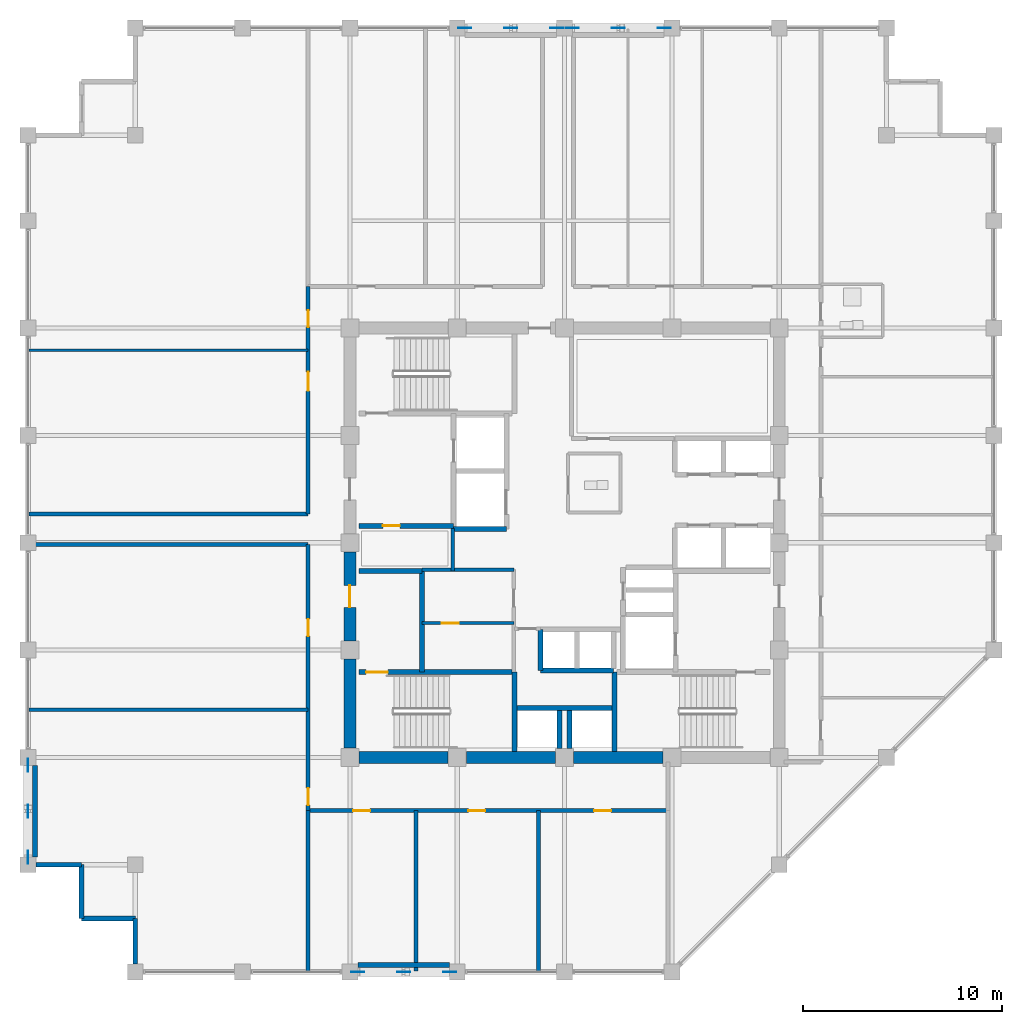
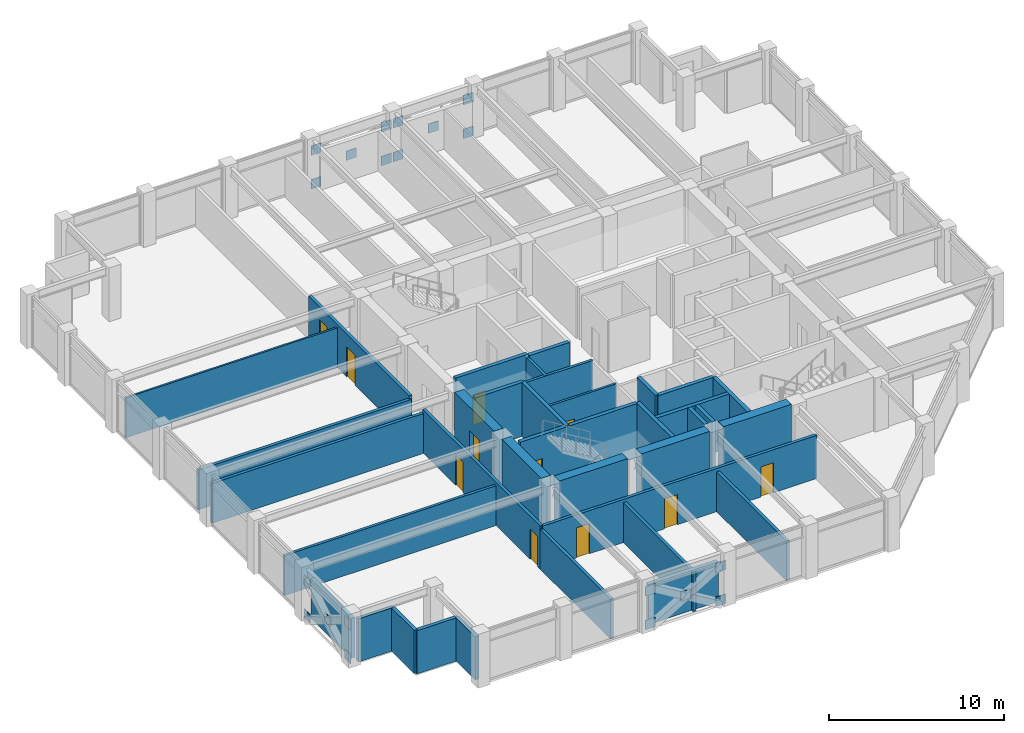
# One storey, part 27 of 32: 36 walls, 20 plates, 11 doors, 11 openings.
"""IFC4 building model written with IfcOpenShell, lengths in metres."""

from ifc_helpers import new_model, si_unit, direction, frame, frame_2d, origin, origin_2d, place, context, subcontext, project, spatial, rectangle, extrude, material, layer, layer_set, type_object, element, fill, save


model = new_model("IFC4")

# Units and contexts
model_context = context("Model", 3, precision=1e-05, world=origin(), true_north=direction((0.0, 1.0)))
body_context = subcontext(model_context, "Body", "Model", "MODEL_VIEW")
ifc_project = project(units=[si_unit("LENGTHUNIT", "METRE"), si_unit("AREAUNIT", "SQUARE_METRE"), si_unit("VOLUMEUNIT", "CUBIC_METRE"), si_unit("PLANEANGLEUNIT", "RADIAN"), si_unit("MASSUNIT", "GRAM", prefix="KILO")], contexts=[model_context])

# Site, building, storey
site_placement = place(None, origin())
site = spatial("IfcSite", under=ifc_project, at=site_placement, CompositionType="ELEMENT")
building_placement = place(site_placement, origin())
building = spatial("IfcBuilding", under=site, at=building_placement, Name="Surkhivell Harbour Commons", CompositionType="ELEMENT")
storey_placement = place(building_placement, frame((0.0, 0.0, 216.0)))
storey = spatial("IfcBuildingStorey", under=building, at=storey_placement, Name="L56", CompositionType="ELEMENT", Elevation=216.0)

# Plates
ifc_material_1 = material(Name="Steel S460", Category="steel")
ifc_layer_1 = layer(ifc_material_1, 0.044921875)
ifc_layer_set_1 = layer_set([ifc_layer_1], Name="Steel S460")
plate_type = type_object("IfcPlateType", Name="PLT-GUS-650", PredefinedType="USERDEFINED", material=ifc_layer_set_1)
for number, where, z_axis, x_axis, name in (
    (1, (-5.014892578125, 25.89990234375, -0.08935546875), (0.0, 0.0, 1.0), (1.0, 0.0, 0.0), "L56 Perimeter Mega-Brace MB- Corner Gusset N-1"),
    (2, (-0.385009765625, 25.89990234375, -0.08935546875), (0.0, 0.0, 1.0), (1.0, 0.0, 0.0), "L56 Perimeter Mega-Brace MB- Corner Gusset N-2"),
    (3, (-5.014892578125, 25.89990234375, 2.25146484375), (0.0, 0.0, 1.0), (1.0, 0.0, 0.0), "L56 Perimeter Mega-Brace MB- Corner Gusset N-3"),
    (4, (-0.385009765625, 25.89990234375, 2.25146484375), (0.0, 0.0, 1.0), (1.0, 0.0, 0.0), "L56 Perimeter Mega-Brace MB- Corner Gusset N-4"),
    (5, (-2.699951171875, 25.89990234375, 1.0810546875), (0.0, 0.0, 1.0), (1.0, 0.0, 0.0), "L56 Perimeter Mega-Brace MB- Central Crossing Gusset N"),
    (6, (0.385009765625, 25.89990234375, -0.08935546875), (0.0, 0.0, 1.0), (1.0, 0.0, 0.0), "L56 Perimeter Mega-Brace MB- Corner Gusset N2-1"),
    (7, (5.014892578125, 25.89990234375, -0.08935546875), (0.0, 0.0, 1.0), (1.0, 0.0, 0.0), "L56 Perimeter Mega-Brace MB- Corner Gusset N2-2"),
    (8, (0.385009765625, 25.89990234375, 2.25146484375), (0.0, 0.0, 1.0), (1.0, 0.0, 0.0), "L56 Perimeter Mega-Brace MB- Corner Gusset N2-3"),
    (9, (5.014892578125, 25.89990234375, 2.25146484375), (0.0, 0.0, 1.0), (1.0, 0.0, 0.0), "L56 Perimeter Mega-Brace MB- Corner Gusset N2-4"),
    (10, (2.699951171875, 25.89990234375, 1.0810546875), (0.0, 0.0, 1.0), (1.0, 0.0, 0.0), "L56 Perimeter Mega-Brace MB- Central Crossing Gusset N2"),
    (11, (-10.4150390625, -21.60009765625, -0.08935546875), (0.0, 0.0, 1.0), (1.0, 0.0, 0.0), "L56 Perimeter Mega-Brace MB- Corner Gusset S-1"),
    (12, (-5.784912109375, -21.60009765625, -0.08935546875), (0.0, 0.0, 1.0), (1.0, 0.0, 0.0), "L56 Perimeter Mega-Brace MB- Corner Gusset S-2"),
    (13, (-10.4150390625, -21.60009765625, 2.25146484375), (0.0, 0.0, 1.0), (1.0, 0.0, 0.0), "L56 Perimeter Mega-Brace MB- Corner Gusset S-3"),
    (14, (-5.784912109375, -21.60009765625, 2.25146484375), (0.0, 0.0, 1.0), (1.0, 0.0, 0.0), "L56 Perimeter Mega-Brace MB- Corner Gusset S-4"),
    (15, (-8.10009765625, -21.60009765625, 1.0810546875), (0.0, 0.0, 1.0), (1.0, 0.0, 0.0), "L56 Perimeter Mega-Brace MB- Central Crossing Gusset S"),
    (16, (-27.0, -15.81494140625, -0.08935546875), (0.0, 0.0, 1.0), (0.0, 1.0, 0.0), "L56 Perimeter Mega-Brace MB- Corner Gusset W-1"),
    (17, (-27.0, -11.18505859375, -0.08935546875), (0.0, 0.0, 1.0), (0.0, 1.0, 0.0), "L56 Perimeter Mega-Brace MB- Corner Gusset W-2"),
    (18, (-27.0, -15.81494140625, 2.25146484375), (0.0, 0.0, 1.0), (0.0, 1.0, 0.0), "L56 Perimeter Mega-Brace MB- Corner Gusset W-3"),
    (19, (-27.0, -11.18505859375, 2.25146484375), (0.0, 0.0, 1.0), (0.0, 1.0, 0.0), "L56 Perimeter Mega-Brace MB- Corner Gusset W-4"),
    (20, (-27.0, -13.5, 1.0810546875), (0.0, 0.0, 1.0), (0.0, 1.0, 0.0), "L56 Perimeter Mega-Brace MB- Central Crossing Gusset W"),
):
    element("IfcPlate", number, at=place(storey_placement, frame(where, z_axis=z_axis, x_axis=x_axis)), inside=storey, type_object=plate_type, Name=name, ObjectType="GUSSET_PLATE", PredefinedType="USERDEFINED", context=body_context, shape_type="SweptSolid", body=[
        extrude(rectangle(XDim=0.64990234375, YDim=0.044921875, at=origin_2d()), origin(), (0.0, 0.0, 1.0), 0.64990234375),
    ])

# Walls
ifc_material_2 = material(Name="Concrete C60/75", Category="concrete")
ifc_layer_2 = layer(ifc_material_2, 0.60009765625)
ifc_layer_set_2 = layer_set([ifc_layer_2], Name="Concrete C60/75")
wall_type_1 = type_object("IfcWallType", Name="WAL-CORE-600", PredefinedType="SHEAR", material=ifc_layer_set_2)
for number, where, z_axis, x_axis, name in (
    (21, (-10.340087890625, -10.800048828125, 0.0), (0.0, 0.0, 1.0), (1.0, 0.0, 0.0), "L56 Core Shear Wall South 1"),
    (22, (-10.800048828125, -10.340087890625, 0.0), (0.0, 0.0, 1.0), (0.0, 1.0, 0.0), "L56 Core Shear Wall West 1"),
    (23, (-4.93994140625, -10.800048828125, 0.0), (0.0, 0.0, 1.0), (1.0, 0.0, 0.0), "L56 Core Shear Wall South 2"),
):
    element("IfcWall", number, at=place(storey_placement, frame(where, z_axis=z_axis, x_axis=x_axis)), inside=storey, type_object=wall_type_1, Name=name, PredefinedType="SHEAR", context=body_context, shape_type="SweptSolid", body=[
        extrude(rectangle(XDim=4.47998046875, YDim=0.60009765625, at=frame_2d((2.239990234375, 0.0))), origin(), (0.0, 0.0, 1.0), 3.75),
    ])

# Wall, opening, door
wall_1_placement = place(storey_placement, frame((-10.800048828125, -4.93994140625, 0.0), z_axis=(0.0, 0.0, 1.0), x_axis=(0.0, 1.0, 0.0)))
wall_1 = element("IfcWall", 24, at=wall_1_placement, inside=storey, type_object=wall_type_1, Name="L56 Core Shear Wall West 2", PredefinedType="SHEAR", context=body_context, shape_type="SweptSolid", body=[
    extrude(rectangle(XDim=4.47998046875, YDim=0.60009765625, at=frame_2d((2.239990234375, 0.0))), origin(), (0.0, 0.0, 1.0), 3.75),
])
opening_1_placement = place(wall_1_placement, frame((1.68994140625, 0.0, 0.0)))
opening_1 = element("IfcOpeningElement", 25, at=opening_1_placement, cuts=wall_1, Name="Opening ID-2", PredefinedType="OPENING", context=body_context, shape_type="SweptSolid", body=[
    extrude(rectangle(XDim=1.10009765625, YDim=2.10009765625, at=frame_2d((0.550048828125, 1.050048828125))), frame((0.0, 0.31005859375, 0.0), z_axis=(0.0, -1.0, 0.0), x_axis=(1.0, 0.0, 0.0)), (0.0, 0.0, 1.0), 0.6201171875),
])
ifc_material_3 = material(Name="Hardwood-veneered fire-rated door leaf", Category="wood")
door_type_1 = type_object("IfcDoorType", Name="DOR-FD60-1100", OperationType="NOTDEFINED", PredefinedType="DOOR", material=ifc_material_3)
door_1_placement = place(opening_1_placement, origin())
door_1 = element("IfcDoor", 26, at=door_1_placement, inside=storey, type_object=door_type_1, Name="L56 Stair 3 Lobby Corridor Door", OperationType="SINGLE_SWING_LEFT", OverallHeight=2.10009765625, OverallWidth=1.10009765625, PredefinedType="DOOR", context=body_context, shape_type="SweptSolid", body=[
    extrude(rectangle(XDim=1.10009765625, YDim=2.10009765625, at=frame_2d((0.550048828125, 1.050048828125))), frame((0.0, 0.02490234375, 0.0), z_axis=(0.0, -1.0, 0.0), x_axis=(1.0, 0.0, 0.0)), (0.0, 0.0, 1.0), 0.050048828125),
])
fill(opening_1, door_1)

# Walls
wall_2_placement = place(storey_placement, frame((0.4599609375, -10.800048828125, 0.0), z_axis=(0.0, 0.0, 1.0), x_axis=(1.0, 0.0, 0.0)))
element("IfcWall", 27, at=wall_2_placement, inside=storey, type_object=wall_type_1, Name="L56 Core Shear Wall South 3", PredefinedType="SHEAR", context=body_context, shape_type="SweptSolid", body=[
    extrude(rectangle(XDim=4.47998046875, YDim=0.60009765625, at=frame_2d((2.239990234375, 0.0))), origin(), (0.0, 0.0, 1.0), 3.75),
])
ifc_material_4 = material(Name="Pale-metal insulated precast concrete C45/55", Category="concrete")
ifc_layer_3 = layer(ifc_material_4, 0.260009765625)
ifc_layer_set_3 = layer_set([ifc_layer_3], Name="Pale-metal insulated precast concrete C45/55")
wall_type_2 = type_object("IfcWallType", Name="WAL-EXT-MTL260", PredefinedType="STANDARD", material=ifc_layer_set_3)
for number, where, z_axis, x_axis, name in (
    (28, (-10.402099609375, -21.239990234375, 0.0), (0.0, 0.0, 1.0), (1.0, 0.0, 0.0), "L56 Braced-Bay Insulated Spandrel Backing S"),
    (29, (-26.639892578125, -11.197998046875, 0.0), (0.0, 0.0, 1.0), (0.0, -1.0, 0.0), "L56 Braced-Bay Insulated Spandrel Backing W"),
):
    element("IfcWall", number, at=place(storey_placement, frame(where, z_axis=z_axis, x_axis=x_axis)), inside=storey, type_object=wall_type_2, Name=name, PredefinedType="STANDARD", context=body_context, shape_type="SweptSolid", body=[
        extrude(rectangle(XDim=4.60400390625, YDim=0.260009765625, at=frame_2d((2.302001953125, 0.0))), origin(), (0.0, 0.0, 1.0), 2.780029296875),
    ])
ifc_material_5 = material(Name="Bronze-ochre cassette precast concrete C45/55", Category="concrete")
ifc_layer_4 = layer(ifc_material_5, 0.239990234375)
ifc_layer_set_4 = layer_set([ifc_layer_4], Name="Bronze-ochre cassette precast concrete C45/55")
wall_type_3 = type_object("IfcWallType", Name="WAL-EXT-OCH240", PredefinedType="STANDARD", material=ifc_layer_set_4)
wall_3_placement = place(storey_placement, frame((-26.60205078125, -16.199951171875, 0.0), z_axis=(0.0, 0.0, 1.0), x_axis=(1.0, 0.0, 0.0)))
element("IfcWall", 30, at=wall_3_placement, inside=storey, type_object=wall_type_3, Name="L56 Serrated Corner Facade Wall 13", PredefinedType="STANDARD", context=body_context, shape_type="SweptSolid", body=[
    extrude(rectangle(XDim=2.302001953125, YDim=0.239990234375, at=frame_2d((1.15087890625, 0.0))), origin(), (0.0, 0.0, 1.0), 3.006103515625),
])
for number, where, z_axis, x_axis, name in (
    (31, (-24.300048828125, -16.199951171875, 0.0), (0.0, 0.0, 1.0), (0.0, -1.0, 0.0), "L56 Serrated Corner Facade Wall 14"),
    (32, (-24.300048828125, -18.89990234375, 0.0), (0.0, 0.0, 1.0), (1.0, 0.0, 0.0), "L56 Serrated Corner Facade Wall 15"),
):
    element("IfcWall", number, at=place(storey_placement, frame(where, z_axis=z_axis, x_axis=x_axis)), inside=storey, type_object=wall_type_3, Name=name, PredefinedType="STANDARD", context=body_context, shape_type="SweptSolid", body=[
        extrude(rectangle(XDim=2.699951171875, YDim=0.239990234375, at=frame_2d((1.35009765625, 0.0))), origin(), (0.0, 0.0, 1.0), 3.006103515625),
    ])
wall_4_placement = place(storey_placement, frame((-21.60009765625, -18.89990234375, 0.0), z_axis=(0.0, 0.0, 1.0), x_axis=(0.0, -1.0, 0.0)))
element("IfcWall", 33, at=wall_4_placement, inside=storey, type_object=wall_type_3, Name="L56 Serrated Corner Facade Wall 16", PredefinedType="STANDARD", context=body_context, shape_type="SweptSolid", body=[
    extrude(rectangle(XDim=2.302001953125, YDim=0.239990234375, at=frame_2d((1.15087890625, 0.0))), origin(), (0.0, 0.0, 1.0), 3.006103515625),
])
ifc_material_6 = material(Name="Moisture-resistant acoustic stud partition", Category="other")
ifc_layer_5 = layer(ifc_material_6, 0.125)
ifc_layer_set_5 = layer_set([ifc_layer_5], Name="Moisture-resistant acoustic stud partition")
wall_type_4 = type_object("IfcWallType", Name="WAL-INT-125", PredefinedType="PARTITIONING", material=ifc_layer_set_5)
wall_5_placement = place(storey_placement, frame((-26.93994140625, 9.68994140625, 0.0), z_axis=(0.0, 0.0, 1.0), x_axis=(1.0, 0.0, 0.0)))
element("IfcWall", 34, at=wall_5_placement, inside=storey, type_object=wall_type_4, Name="L56 North-West Partition P1", PredefinedType="PARTITIONING", context=body_context, shape_type="SweptSolid", body=[
    extrude(rectangle(XDim=14.0400390625, YDim=0.125, at=frame_2d((7.02001953125, 0.0))), origin(), (0.0, 0.0, 1.0), 2.780029296875),
])

# Wall, opening, door
ifc_material_7 = material(Name="Twin-stud acoustic fireboard partition", Category="other")
ifc_layer_6 = layer(ifc_material_7, 0.14990234375)
ifc_layer_set_6 = layer_set([ifc_layer_6], Name="Twin-stud acoustic fireboard partition")
wall_type_5 = type_object("IfcWallType", Name="WAL-INT-150", PredefinedType="PARTITIONING", material=ifc_layer_set_6)
wall_6_placement = place(storey_placement, frame((-7.179931640625, -4.050048828125, 0.0), z_axis=(0.0, 0.0, 1.0), x_axis=(1.0, 0.0, 0.0)))
wall_6 = element("IfcWall", 35, at=wall_6_placement, inside=storey, type_object=wall_type_5, Name="L56 Core Cut A Partition", PredefinedType="PARTITIONING", context=body_context, shape_type="SweptSolid", body=[
    extrude(rectangle(XDim=4.6298828125, YDim=0.14990234375, at=frame_2d((2.31494140625, 0.0))), origin(), (0.0, 0.0, 1.0), 3.570068359375),
])
opening_2_placement = place(wall_6_placement, frame((1.0, 0.0, 0.0)))
opening_2 = element("IfcOpeningElement", 36, at=opening_2_placement, cuts=wall_6, Name="Opening ID-6", PredefinedType="OPENING", context=body_context, shape_type="SweptSolid", body=[
    extrude(rectangle(XDim=0.85009765625, YDim=2.10009765625, at=frame_2d((0.425048828125, 1.050048828125))), frame((0.0, 0.0849609375, 0.0), z_axis=(0.0, -1.0, 0.0), x_axis=(1.0, 0.0, 0.0)), (0.0, 0.0, 1.0), 0.169921875),
])
door_type_2 = type_object("IfcDoorType", Name="DOR-FD30-850", OperationType="NOTDEFINED", PredefinedType="DOOR", material=ifc_material_3)
door_2_placement = place(opening_2_placement, origin())
door_2 = element("IfcDoor", 37, at=door_2_placement, inside=storey, type_object=door_type_2, Name="L56 Linen Room Door", OperationType="SINGLE_SWING_RIGHT", OverallHeight=2.10009765625, OverallWidth=0.85009765625, PredefinedType="DOOR", context=body_context, shape_type="SweptSolid", body=[
    extrude(rectangle(XDim=0.85009765625, YDim=2.10009765625, at=frame_2d((0.425048828125, 1.050048828125))), frame((0.0, 0.02490234375, 0.0), z_axis=(0.0, -1.0, 0.0), x_axis=(1.0, 0.0, 0.0)), (0.0, 0.0, 1.0), 0.050048828125),
])
fill(opening_2, door_2)

# Walls
ifc_material_8 = material(Name="High-density acoustic blockwork fire partition", Category="masonry")
ifc_layer_7 = layer(ifc_material_8, 0.175048828125)
ifc_layer_set_7 = layer_set([ifc_layer_7], Name="High-density acoustic blockwork fire partition")
wall_type_6 = type_object("IfcWallType", Name="WAL-INT-175", PredefinedType="PARTITIONING", material=ifc_layer_set_7)
wall_7_placement = place(storey_placement, frame((-7.179931640625, -1.35009765625, 0.0), z_axis=(0.0, 0.0, 1.0), x_axis=(1.0, 0.0, 0.0)))
element("IfcWall", 38, at=wall_7_placement, inside=storey, type_object=wall_type_6, Name="L56 Core Service Bay North Wall", PredefinedType="PARTITIONING", context=body_context, shape_type="SweptSolid", body=[
    extrude(rectangle(XDim=4.6298828125, YDim=0.175048828125, at=frame_2d((2.31494140625, 0.0))), origin(), (0.0, 0.0, 1.0), 3.570068359375),
])
wall_8_placement = place(storey_placement, frame((-5.6201171875, -1.419921875, 0.0), z_axis=(0.0, 0.0, 1.0), x_axis=(0.0, 1.0, 0.0)))
element("IfcWall", 39, at=wall_8_placement, inside=storey, type_object=wall_type_6, Name="L56 West Core Bay East Wall", PredefinedType="PARTITIONING", context=body_context, shape_type="SweptSolid", body=[
    extrude(rectangle(XDim=2.139892578125, YDim=0.175048828125, at=frame_2d((1.06982421875, 0.0))), origin(), (0.0, 0.0, 1.0), 3.570068359375),
])
wall_9_placement = place(storey_placement, frame((-26.93994140625, -8.39990234375, 0.0), z_axis=(0.0, 0.0, 1.0), x_axis=(1.0, 0.0, 0.0)))
element("IfcWall", 40, at=wall_9_placement, inside=storey, type_object=wall_type_6, Name="L56 South-West Partition P1", PredefinedType="PARTITIONING", context=body_context, shape_type="SweptSolid", body=[
    extrude(rectangle(XDim=14.0400390625, YDim=0.175048828125, at=frame_2d((7.02001953125, 0.0))), origin(), (0.0, 0.0, 1.0), 2.780029296875),
])
ifc_material_9 = material(Name="Autoclaved aerated concrete blockwork and fire plaster", Category="masonry")
ifc_layer_8 = layer(ifc_material_9, 0.199951171875)
ifc_layer_set_8 = layer_set([ifc_layer_8], Name="Autoclaved aerated concrete blockwork and fire plaster")
wall_type_7 = type_object("IfcWallType", Name="WAL-INT-200", PredefinedType="PARTITIONING", material=ifc_layer_set_8)
wall_10_placement = place(storey_placement, frame((-12.89990234375, -21.5400390625, 0.0), z_axis=(0.0, 0.0, 1.0), x_axis=(0.0, 1.0, 0.0)))
element("IfcWall", 41, at=wall_10_placement, inside=storey, type_object=wall_type_7, Name="L56 South-West Corner Wall", PredefinedType="PARTITIONING", context=body_context, shape_type="SweptSolid", body=[
    extrude(rectangle(XDim=8.06005859375, YDim=0.199951171875, at=frame_2d((4.030029296875, 0.0))), origin(), (0.0, 0.0, 1.0), 2.780029296875),
])

# Wall, openings, doors
wall_11_placement = place(storey_placement, frame((-12.89990234375, -13.47998046875, 0.0), z_axis=(0.0, 0.0, 1.0), x_axis=(1.0, 0.0, 0.0)))
wall_11 = element("IfcWall", 42, at=wall_11_placement, inside=storey, type_object=wall_type_7, Name="L56 Corridor South Wall", PredefinedType="PARTITIONING", context=body_context, shape_type="SweptSolid", body=[
    extrude(rectangle(XDim=18.099853515625, YDim=0.199951171875, at=frame_2d((9.0498046875, 0.0))), origin(), (0.0, 0.0, 1.0), 3.006103515625),
])
opening_3_placement = place(wall_11_placement, frame((2.264892578125, 0.0, 0.0)))
opening_3 = element("IfcOpeningElement", 43, at=opening_3_placement, cuts=wall_11, Name="Opening ID-6", PredefinedType="OPENING", context=body_context, shape_type="SweptSolid", body=[
    extrude(rectangle(XDim=0.85009765625, YDim=2.10009765625, at=frame_2d((0.425048828125, 1.050048828125))), frame((0.0, 0.10986328125, 0.0), z_axis=(0.0, -1.0, 0.0), x_axis=(1.0, 0.0, 0.0)), (0.0, 0.0, 1.0), 0.219970703125),
])
opening_4_placement = place(wall_11_placement, frame((8.054931640625, 0.0, 0.0)))
opening_4 = element("IfcOpeningElement", 44, at=opening_4_placement, cuts=wall_11, Name="Opening ID-6", PredefinedType="OPENING", context=body_context, shape_type="SweptSolid", body=[
    extrude(rectangle(XDim=0.85009765625, YDim=2.10009765625, at=frame_2d((0.425048828125, 1.050048828125))), frame((0.0, 0.10986328125, 0.0), z_axis=(0.0, -1.0, 0.0), x_axis=(1.0, 0.0, 0.0)), (0.0, 0.0, 1.0), 0.219970703125),
])
opening_5_placement = place(wall_11_placement, frame((14.389892578125, 0.0, 0.0)))
opening_5 = element("IfcOpeningElement", 45, at=opening_5_placement, cuts=wall_11, Name="Opening ID-6", PredefinedType="OPENING", context=body_context, shape_type="SweptSolid", body=[
    extrude(rectangle(XDim=0.85009765625, YDim=2.10009765625, at=frame_2d((0.425048828125, 1.050048828125))), frame((0.0, 0.10986328125, 0.0), z_axis=(0.0, -1.0, 0.0), x_axis=(1.0, 0.0, 0.0)), (0.0, 0.0, 1.0), 0.219970703125),
])
door_3_placement = place(opening_3_placement, origin())
door_3 = element("IfcDoor", 46, at=door_3_placement, inside=storey, type_object=door_type_2, Name="L56 Resident Tutor Staff Room 1 South Door", OperationType="SINGLE_SWING_RIGHT", OverallHeight=2.10009765625, OverallWidth=0.85009765625, PredefinedType="DOOR", context=body_context, shape_type="SweptSolid", body=[
    extrude(rectangle(XDim=0.85009765625, YDim=2.10009765625, at=frame_2d((0.425048828125, 1.050048828125))), frame((0.0, 0.02490234375, 0.0), z_axis=(0.0, -1.0, 0.0), x_axis=(1.0, 0.0, 0.0)), (0.0, 0.0, 1.0), 0.050048828125),
])
fill(opening_3, door_3)
door_4_placement = place(opening_4_placement, origin())
door_4 = element("IfcDoor", 47, at=door_4_placement, inside=storey, type_object=door_type_2, Name="L56 Resident Warden Staff Office 2 South Door", OperationType="SINGLE_SWING_LEFT", OverallHeight=2.10009765625, OverallWidth=0.85009765625, PredefinedType="DOOR", context=body_context, shape_type="SweptSolid", body=[
    extrude(rectangle(XDim=0.85009765625, YDim=2.10009765625, at=frame_2d((0.425048828125, 1.050048828125))), frame((0.0, 0.02490234375, 0.0), z_axis=(0.0, -1.0, 0.0), x_axis=(1.0, 0.0, 0.0)), (0.0, 0.0, 1.0), 0.050048828125),
])
fill(opening_4, door_4)
door_5_placement = place(opening_5_placement, origin())
door_5 = element("IfcDoor", 48, at=door_5_placement, inside=storey, type_object=door_type_2, Name="L56 Campus Bursar Staff Office 3 South Door", OperationType="SINGLE_SWING_RIGHT", OverallHeight=2.10009765625, OverallWidth=0.85009765625, PredefinedType="DOOR", context=body_context, shape_type="SweptSolid", body=[
    extrude(rectangle(XDim=0.85009765625, YDim=2.10009765625, at=frame_2d((0.425048828125, 1.050048828125))), frame((0.0, 0.02490234375, 0.0), z_axis=(0.0, -1.0, 0.0), x_axis=(1.0, 0.0, 0.0)), (0.0, 0.0, 1.0), 0.050048828125),
])
fill(opening_5, door_5)

# Walls
for number, where, z_axis, x_axis, name in (
    (49, (-26.93994140625, 1.449951171875, 0.0), (0.0, 0.0, 1.0), (1.0, 0.0, 0.0), "L56 West Spur North Wall"),
    (50, (-26.93994140625, -0.10009765625, 0.0), (0.0, 0.0, 1.0), (1.0, 0.0, 0.0), "L56 West Spur South Wall"),
):
    element("IfcWall", number, at=place(storey_placement, frame(where, z_axis=z_axis, x_axis=x_axis)), inside=storey, type_object=wall_type_7, Name=name, PredefinedType="PARTITIONING", context=body_context, shape_type="SweptSolid", body=[
        extrude(rectangle(XDim=14.0400390625, YDim=0.199951171875, at=frame_2d((7.02001953125, 0.0))), origin(), (0.0, 0.0, 1.0), 2.780029296875),
    ])

# Wall, openings, doors
wall_12_placement = place(storey_placement, frame((-12.89990234375, 1.449951171875, 0.0), z_axis=(0.0, 0.0, 1.0), x_axis=(0.0, 1.0, 0.0)))
wall_12 = element("IfcWall", 51, at=wall_12_placement, inside=storey, type_object=wall_type_7, Name="L56 Corridor West-Upper Wall", PredefinedType="PARTITIONING", context=body_context, shape_type="SweptSolid", body=[
    extrude(rectangle(XDim=11.449951171875, YDim=0.199951171875, at=frame_2d((5.72509765625, 0.0))), origin(), (0.0, 0.0, 1.0), 3.006103515625),
])
opening_6_placement = place(wall_12_placement, frame((6.194091796875, 0.0, 0.0)))
opening_6 = element("IfcOpeningElement", 52, at=opening_6_placement, cuts=wall_12, Name="Opening ID-4", PredefinedType="OPENING", context=body_context, shape_type="SweptSolid", body=[
    extrude(rectangle(XDim=0.949951171875, YDim=2.10009765625, at=frame_2d((0.47509765625, 1.050048828125))), frame((0.0, 0.10986328125, 0.0), z_axis=(0.0, -1.0, 0.0), x_axis=(1.0, 0.0, 0.0)), (0.0, 0.0, 1.0), 0.219970703125),
])
opening_7_placement = place(wall_12_placement, frame((9.39501953125, 0.0, 0.0)))
opening_7 = element("IfcOpeningElement", 53, at=opening_7_placement, cuts=wall_12, Name="Opening ID-6", PredefinedType="OPENING", context=body_context, shape_type="SweptSolid", body=[
    extrude(rectangle(XDim=0.85009765625, YDim=2.10009765625, at=frame_2d((0.425048828125, 1.050048828125))), frame((0.0, 0.10986328125, 0.0), z_axis=(0.0, -1.0, 0.0), x_axis=(1.0, 0.0, 0.0)), (0.0, 0.0, 1.0), 0.219970703125),
])
door_6_placement = place(opening_7_placement, origin())
door_6 = element("IfcDoor", 54, at=door_6_placement, inside=storey, type_object=door_type_2, Name="L56 Resident Advisory Reception Desk North-West Door", OperationType="SINGLE_SWING_LEFT", OverallHeight=2.10009765625, OverallWidth=0.85009765625, PredefinedType="DOOR", context=body_context, shape_type="SweptSolid", body=[
    extrude(rectangle(XDim=0.85009765625, YDim=2.10009765625, at=frame_2d((0.425048828125, 1.050048828125))), frame((0.0, 0.02490234375, 0.0), z_axis=(0.0, -1.0, 0.0), x_axis=(1.0, 0.0, 0.0)), (0.0, 0.0, 1.0), 0.050048828125),
])
fill(opening_7, door_6)
door_type_3 = type_object("IfcDoorType", Name="DOR-FD60-950", OperationType="NOTDEFINED", PredefinedType="DOOR", material=ifc_material_3)
door_7_placement = place(opening_6_placement, origin())
door_7 = element("IfcDoor", 55, at=door_7_placement, inside=storey, type_object=door_type_3, Name="L56 Zone Concierge Reception Foyer North-West Door", OperationType="SINGLE_SWING_RIGHT", OverallHeight=2.10009765625, OverallWidth=0.949951171875, PredefinedType="DOOR", context=body_context, shape_type="SweptSolid", body=[
    extrude(rectangle(XDim=0.949951171875, YDim=2.10009765625, at=frame_2d((0.47509765625, 1.050048828125))), frame((0.0, 0.02490234375, 0.0), z_axis=(0.0, -1.0, 0.0), x_axis=(1.0, 0.0, 0.0)), (0.0, 0.0, 1.0), 0.050048828125),
])
fill(opening_6, door_7)

wall_13_placement = place(storey_placement, frame((-12.89990234375, -13.47998046875, 0.0), z_axis=(0.0, 0.0, 1.0), x_axis=(0.0, 1.0, 0.0)))
wall_13 = element("IfcWall", 56, at=wall_13_placement, inside=storey, type_object=wall_type_7, Name="L56 Corridor West-Lower Wall", PredefinedType="PARTITIONING", context=body_context, shape_type="SweptSolid", body=[
    extrude(rectangle(XDim=13.3798828125, YDim=0.199951171875, at=frame_2d((6.68994140625, 0.0))), origin(), (0.0, 0.0, 1.0), 3.006103515625),
])
opening_8_placement = place(wall_13_placement, frame((0.280029296875, 0.0, 0.0)))
opening_8 = element("IfcOpeningElement", 57, at=opening_8_placement, cuts=wall_13, Name="Opening ID-6", PredefinedType="OPENING", context=body_context, shape_type="SweptSolid", body=[
    extrude(rectangle(XDim=0.85009765625, YDim=2.10009765625, at=frame_2d((0.425048828125, 1.050048828125))), frame((0.0, 0.10986328125, 0.0), z_axis=(0.0, -1.0, 0.0), x_axis=(1.0, 0.0, 0.0)), (0.0, 0.0, 1.0), 0.219970703125),
])
opening_9_placement = place(wall_13_placement, frame((8.780029296875, 0.0, 0.0)))
opening_9 = element("IfcOpeningElement", 58, at=opening_9_placement, cuts=wall_13, Name="Opening ID-6", PredefinedType="OPENING", context=body_context, shape_type="SweptSolid", body=[
    extrude(rectangle(XDim=0.85009765625, YDim=2.10009765625, at=frame_2d((0.425048828125, 1.050048828125))), frame((0.0, 0.10986328125, 0.0), z_axis=(0.0, -1.0, 0.0), x_axis=(1.0, 0.0, 0.0)), (0.0, 0.0, 1.0), 0.219970703125),
])
door_8_placement = place(opening_8_placement, origin())
door_8 = element("IfcDoor", 59, at=door_8_placement, inside=storey, type_object=door_type_2, Name="L56 Harbour Reading Library South-West Door", OperationType="SINGLE_SWING_RIGHT", OverallHeight=2.10009765625, OverallWidth=0.85009765625, PredefinedType="DOOR", context=body_context, shape_type="SweptSolid", body=[
    extrude(rectangle(XDim=0.85009765625, YDim=2.10009765625, at=frame_2d((0.425048828125, 1.050048828125))), frame((0.0, 0.02490234375, 0.0), z_axis=(0.0, -1.0, 0.0), x_axis=(1.0, 0.0, 0.0)), (0.0, 0.0, 1.0), 0.050048828125),
])
fill(opening_8, door_8)
door_9_placement = place(opening_9_placement, origin())
door_9 = element("IfcDoor", 60, at=door_9_placement, inside=storey, type_object=door_type_2, Name="L56 Communal Dining Hall South-West Door", OperationType="SINGLE_SWING_LEFT", OverallHeight=2.10009765625, OverallWidth=0.85009765625, PredefinedType="DOOR", context=body_context, shape_type="SweptSolid", body=[
    extrude(rectangle(XDim=0.85009765625, YDim=2.10009765625, at=frame_2d((0.425048828125, 1.050048828125))), frame((0.0, 0.02490234375, 0.0), z_axis=(0.0, -1.0, 0.0), x_axis=(1.0, 0.0, 0.0)), (0.0, 0.0, 1.0), 0.050048828125),
])
fill(opening_9, door_9)

# Walls
for number, where, z_axis, x_axis, name in (
    (61, (-7.469970703125, -21.5400390625, 0.0), (0.0, 0.0, 1.0), (0.0, 1.0, 0.0), "L56 South Partition P1"),
    (62, (-1.320068359375, -21.5400390625, 0.0), (0.0, 0.0, 1.0), (0.0, 1.0, 0.0), "L56 South Partition P2"),
):
    element("IfcWall", number, at=place(storey_placement, frame(where, z_axis=z_axis, x_axis=x_axis)), inside=storey, type_object=wall_type_7, Name=name, PredefinedType="PARTITIONING", context=body_context, shape_type="SweptSolid", body=[
        extrude(rectangle(XDim=8.06005859375, YDim=0.199951171875, at=frame_2d((4.030029296875, 0.0))), origin(), (0.0, 0.0, 1.0), 2.780029296875),
    ])

# Wall, opening, door
ifc_material_10 = material(Name="Concrete C50/60", Category="concrete")
ifc_layer_9 = layer(ifc_material_10, 0.25)
ifc_layer_set_9 = layer_set([ifc_layer_9], Name="Concrete C50/60")
wall_type_8 = type_object("IfcWallType", Name="WAL-SHAFT-250", PredefinedType="SHEAR", material=ifc_layer_set_9)
wall_14_placement = place(storey_placement, frame((-10.340087890625, 0.85009765625, 0.0), z_axis=(0.0, 0.0, 1.0), x_axis=(1.0, 0.0, 0.0)))
wall_14 = element("IfcWall", 63, at=wall_14_placement, inside=storey, type_object=wall_type_8, Name="L56 Firefighting Lobby 1 South Wall", PredefinedType="SHEAR", context=body_context, shape_type="SweptSolid", body=[
    extrude(rectangle(XDim=4.760009765625, YDim=0.25, at=frame_2d((2.3798828125, 0.0))), origin(), (0.0, 0.0, 1.0), 3.75),
])
opening_10_placement = place(wall_14_placement, frame((1.199951171875, 0.0, 0.0)))
opening_10 = element("IfcOpeningElement", 64, at=opening_10_placement, cuts=wall_14, Name="Opening ID-6", PredefinedType="OPENING", context=body_context, shape_type="SweptSolid", body=[
    extrude(rectangle(XDim=0.85009765625, YDim=2.10009765625, at=frame_2d((0.425048828125, 1.050048828125))), frame((0.0, 0.135009765625, 0.0), z_axis=(0.0, -1.0, 0.0), x_axis=(1.0, 0.0, 0.0)), (0.0, 0.0, 1.0), 0.27001953125),
])
door_10_placement = place(opening_10_placement, origin())
door_10 = element("IfcDoor", 65, at=door_10_placement, inside=storey, type_object=door_type_2, Name="L56 West Quiet Study Door", OperationType="SINGLE_SWING_RIGHT", OverallHeight=2.10009765625, OverallWidth=0.85009765625, PredefinedType="DOOR", context=body_context, shape_type="SweptSolid", body=[
    extrude(rectangle(XDim=0.85009765625, YDim=2.10009765625, at=frame_2d((0.425048828125, 1.050048828125))), frame((0.0, 0.02490234375, 0.0), z_axis=(0.0, -1.0, 0.0), x_axis=(1.0, 0.0, 0.0)), (0.0, 0.0, 1.0), 0.050048828125),
])
fill(opening_10, door_10)

# Walls
for number, where, z_axis, x_axis, name in (
    (66, (-0.25, -10.35009765625, 0.0), (0.0, 0.0, 1.0), (0.0, 1.0, 0.0), "L56 High-Rise Side Wall S"),
    (67, (0.25, -10.35009765625, 0.0), (0.0, 0.0, 1.0), (0.0, 1.0, 0.0), "L56 High-Rise Side Wall S"),
):
    element("IfcWall", number, at=place(storey_placement, frame(where, z_axis=z_axis, x_axis=x_axis)), inside=storey, type_object=wall_type_8, Name=name, PredefinedType="SHEAR", context=body_context, shape_type="SweptSolid", body=[
        extrude(rectangle(XDim=1.91015625, YDim=0.25, at=frame_2d((0.955078125, 0.0))), origin(), (0.0, 0.0, 1.0), 3.75),
    ])
wall_15_placement = place(storey_placement, frame((-1.219970703125, -6.43994140625, 0.0), z_axis=(0.0, 0.0, 1.0), x_axis=(0.0, 1.0, 0.0)))
element("IfcWall", 68, at=wall_15_placement, inside=storey, type_object=wall_type_8, Name="L56 High-Rise Passage East Shaft Wall", PredefinedType="SHEAR", context=body_context, shape_type="SweptSolid", body=[
    extrude(rectangle(XDim=2.079833984375, YDim=0.25, at=frame_2d((1.0400390625, 0.0))), origin(), (0.0, 0.0, 1.0), 3.75),
])
wall_16_placement = place(storey_placement, frame((-1.219970703125, -6.43994140625, 0.0), z_axis=(0.0, 0.0, 1.0), x_axis=(1.0, 0.0, 0.0)))
element("IfcWall", 69, at=wall_16_placement, inside=storey, type_object=wall_type_8, Name="L56 High-Rise North Front Shaft Wall", PredefinedType="SHEAR", context=body_context, shape_type="SweptSolid", body=[
    extrude(rectangle(XDim=3.669921875, YDim=0.25, at=frame_2d((1.8349609375, 0.0))), origin(), (0.0, 0.0, 1.0), 3.75),
])
wall_17_placement = place(storey_placement, frame((-2.47998046875, -8.320068359375, 0.0), z_axis=(0.0, 0.0, 1.0), x_axis=(1.0, 0.0, 0.0)))
element("IfcWall", 70, at=wall_17_placement, inside=storey, type_object=wall_type_8, Name="L56 High-Rise South Front Shaft Wall", PredefinedType="SHEAR", context=body_context, shape_type="SweptSolid", body=[
    extrude(rectangle(XDim=4.929931640625, YDim=0.25, at=frame_2d((2.46484375, 0.0))), origin(), (0.0, 0.0, 1.0), 3.75),
])
for number, where, z_axis, x_axis, name in (
    (71, (2.510009765625, -10.5, 0.0), (0.0, 0.0, 1.0), (0.0, 1.0, 0.0), "L56 Stair ST2 West Shear Wall"),
    (72, (-2.510009765625, -10.5, 0.0), (0.0, 0.0, 1.0), (0.0, 1.0, 0.0), "L56 Stair ST3 East Shear Wall"),
):
    element("IfcWall", number, at=place(storey_placement, frame(where, z_axis=z_axis, x_axis=x_axis)), inside=storey, type_object=wall_type_8, Name=name, PredefinedType="SHEAR", context=body_context, shape_type="SweptSolid", body=[
        extrude(rectangle(XDim=3.989990234375, YDim=0.25, at=frame_2d((1.9951171875, 0.0))), origin(), (0.0, 0.0, 1.0), 3.75),
    ])
wall_18_placement = place(storey_placement, frame((-7.179931640625, -6.510009765625, 0.0), z_axis=(0.0, 0.0, 1.0), x_axis=(0.0, 1.0, 0.0)))
element("IfcWall", 73, at=wall_18_placement, inside=storey, type_object=wall_type_8, Name="L56 Stair 3 Lobby East Wall", PredefinedType="SHEAR", context=body_context, shape_type="SweptSolid", body=[
    extrude(rectangle(XDim=5.090087890625, YDim=0.25, at=frame_2d((2.544921875, 0.0))), origin(), (0.0, 0.0, 1.0), 3.75),
])
wall_19_placement = place(storey_placement, frame((-10.340087890625, -1.419921875, 0.0), z_axis=(0.0, 0.0, 1.0), x_axis=(1.0, 0.0, 0.0)))
element("IfcWall", 74, at=wall_19_placement, inside=storey, type_object=wall_type_8, Name="L56 Stair 3 Lobby North Wall", PredefinedType="SHEAR", context=body_context, shape_type="SweptSolid", body=[
    extrude(rectangle(XDim=3.16015625, YDim=0.25, at=frame_2d((1.580078125, 0.0))), origin(), (0.0, 0.0, 1.0), 3.75),
])

# Wall, opening, door
wall_20_placement = place(storey_placement, frame((-10.340087890625, -6.510009765625, 0.0), z_axis=(0.0, 0.0, 1.0), x_axis=(1.0, 0.0, 0.0)))
wall_20 = element("IfcWall", 75, at=wall_20_placement, inside=storey, type_object=wall_type_8, Name="L56 Stair ST3 North Shear Wall", PredefinedType="SHEAR", context=body_context, shape_type="SweptSolid", body=[
    extrude(rectangle(XDim=7.7001953125, YDim=0.25, at=frame_2d((3.85009765625, 0.0))), origin(), (0.0, 0.0, 1.0), 3.75),
])
opening_11_placement = place(wall_20_placement, frame((0.35009765625, 0.0, 0.0)))
opening_11 = element("IfcOpeningElement", 76, at=opening_11_placement, cuts=wall_20, Name="Opening ID-2", PredefinedType="OPENING", context=body_context, shape_type="SweptSolid", body=[
    extrude(rectangle(XDim=1.10009765625, YDim=2.10009765625, at=frame_2d((0.550048828125, 1.050048828125))), frame((0.0, 0.135009765625, 0.0), z_axis=(0.0, -1.0, 0.0), x_axis=(1.0, 0.0, 0.0)), (0.0, 0.0, 1.0), 0.27001953125),
])
door_11_placement = place(opening_11_placement, origin())
door_11 = element("IfcDoor", 77, at=door_11_placement, inside=storey, type_object=door_type_1, Name="L56 Stair ST3 Exit Door", OperationType="SINGLE_SWING_RIGHT", OverallHeight=2.10009765625, OverallWidth=1.10009765625, PredefinedType="DOOR", context=body_context, shape_type="SweptSolid", body=[
    extrude(rectangle(XDim=1.10009765625, YDim=2.10009765625, at=frame_2d((0.550048828125, 1.050048828125))), frame((0.0, 0.02490234375, 0.0), z_axis=(0.0, -1.0, 0.0), x_axis=(1.0, 0.0, 0.0)), (0.0, 0.0, 1.0), 0.050048828125),
])
fill(opening_11, door_11)

# Wall
wall_21_placement = place(storey_placement, frame((-5.580078125, 0.679931640625, 0.0), z_axis=(0.0, 0.0, 1.0), x_axis=(1.0, 0.0, 0.0)))
element("IfcWall", 78, at=wall_21_placement, inside=storey, type_object=wall_type_8, Name="L56 SVL1 South Shaft Wall", PredefinedType="SHEAR", context=body_context, shape_type="SweptSolid", body=[
    extrude(rectangle(XDim=2.650146484375, YDim=0.25, at=frame_2d((1.3251953125, 0.0))), origin(), (0.0, 0.0, 1.0), 3.75),
])

save(model, "model.ifc")
